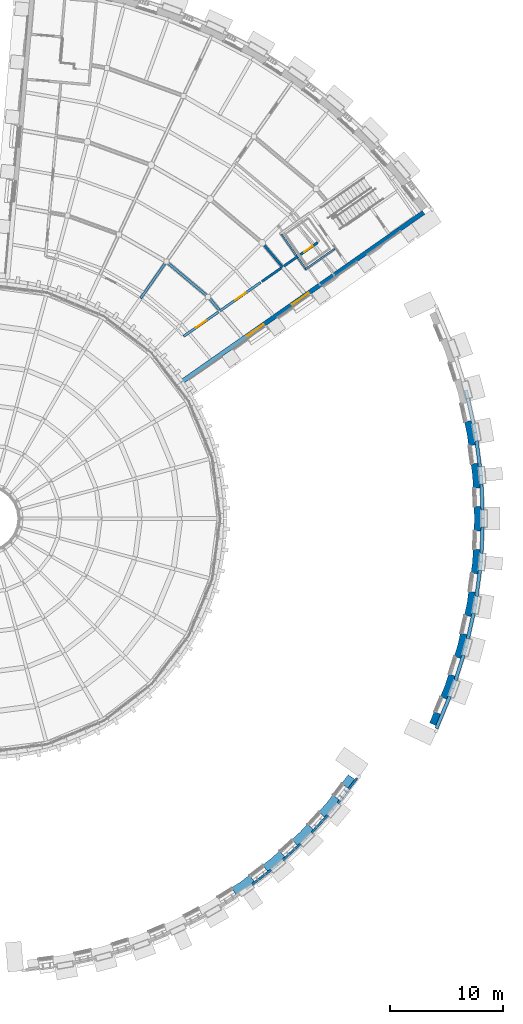
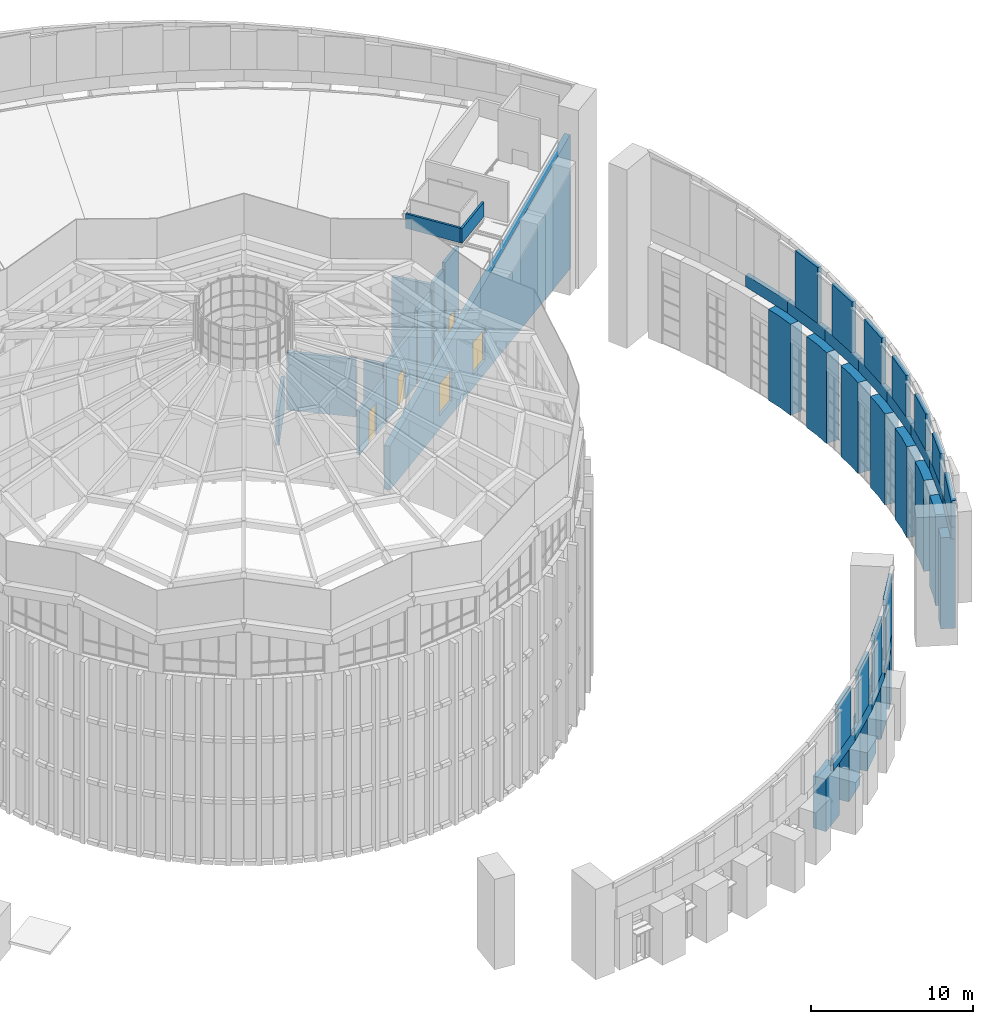
# One storey, part 56 of 82: 48 walls, 3 doors, 2 windows, 5 openings.
"""IFC4 building model written with IfcOpenShell, lengths in metres."""

from ifc_helpers import new_model, si_unit, direction, frame, frame_2d, origin, place, context, subcontext, project, spatial, polyline, rectangle, outline, extrude, material, layer, layer_set, type_object, element, fill, save


model = new_model("IFC4")

# Units and contexts
model_context = context("Model", 3, precision=1e-05, world=origin(), true_north=direction((0.0, 1.0)))
body_context = subcontext(model_context, "Body", "Model", "MODEL_VIEW")
ifc_project = project(units=[si_unit("LENGTHUNIT", "METRE"), si_unit("AREAUNIT", "SQUARE_METRE"), si_unit("VOLUMEUNIT", "CUBIC_METRE"), si_unit("PLANEANGLEUNIT", "RADIAN"), si_unit("MASSUNIT", "GRAM", prefix="KILO")], contexts=[model_context])

# Site, building, storey
site_placement = place(None, origin())
site = spatial("IfcSite", under=ifc_project, at=site_placement, CompositionType="ELEMENT")
building_placement = place(site_placement, origin())
building = spatial("IfcBuilding", under=site, at=building_placement, Name="Volute Hill Aquarium", CompositionType="ELEMENT")
storey_placement = place(building_placement, frame((0.0, 0.0, 13.800048828125)))
storey = spatial("IfcBuildingStorey", under=building, at=storey_placement, Name="L04", CompositionType="ELEMENT", Elevation=13.800048828125)

# Walls
ifc_material_1 = material(Name="Precast concrete C40/50", Category="concrete")
ifc_layer_1 = layer(ifc_material_1, 0.199951171875)
ifc_layer_set_1 = layer_set([ifc_layer_1], Name="Crown screen wall precast concrete C40/50 200")
wall_type_1 = type_object("IfcWallType", Name="Crown screen wall precast concrete C40/50 200", PredefinedType="NOTDEFINED", material=ifc_layer_set_1)
wall_1_placement = place(storey_placement, frame((0.0, 0.0, 4.841796875)))
element("IfcWall", 1, at=wall_1_placement, inside=storey, type_object=wall_type_1, Name="Crown screen wall CSW S3 7", PredefinedType="NOTDEFINED", context=body_context, shape_type="SweptSolid", body=[
    extrude(outline(polyline([(23.578125, -32.46826171875), (25.259521484375, -31.177978515625), (25.130859375, -31.024658203125), (23.463134765625, -32.30419921875), (23.578125, -32.46826171875)])), origin(), (0.0, 0.0, 1.0), 3.66357421875),
])
wall_2_placement = place(storey_placement, frame((0.0, 0.0, 4.841796875)))
element("IfcWall", 2, at=wall_2_placement, inside=storey, type_object=wall_type_1, Name="Crown screen wall CSW S3 8", PredefinedType="NOTDEFINED", context=body_context, shape_type="SweptSolid", body=[
    extrude(outline(polyline([(26.318115234375, -30.289794921875), (27.880615234375, -28.85791015625), (27.7392578125, -28.71630859375), (26.189453125, -30.136474609375), (26.318115234375, -30.289794921875)])), origin(), (0.0, 0.0, 1.0), 3.95556640625),
])
wall_3_placement = place(storey_placement, frame((0.0, 0.0, 4.841796875)))
element("IfcWall", 3, at=wall_3_placement, inside=storey, type_object=wall_type_1, Name="Crown screen wall CSW S3 9", PredefinedType="NOTDEFINED", context=body_context, shape_type="SweptSolid", body=[
    extrude(outline(polyline([(28.85791015625, -27.880615234375), (30.289794921875, -26.318115234375), (30.136474609375, -26.189453125), (28.71630859375, -27.7392578125), (28.85791015625, -27.880615234375)])), origin(), (0.0, 0.0, 1.0), 4.24755859375),
])
wall_4_placement = place(storey_placement, frame((0.0, 0.0, 4.841796875)))
element("IfcWall", 4, at=wall_4_placement, inside=storey, type_object=wall_type_1, Name="Crown screen wall CSW S3 10", PredefinedType="NOTDEFINED", context=body_context, shape_type="SweptSolid", body=[
    extrude(outline(polyline([(31.177978515625, -25.259521484375), (32.88916015625, -23.029296875), (32.725341796875, -22.91455078125), (31.024658203125, -25.130859375), (31.177978515625, -25.259521484375)])), origin(), (0.0, 0.0, 1.0), 4.53955078125),
])
ifc_material_2 = material(Name="Precast concrete C40/50", Category="concrete")
ifc_layer_2 = layer(ifc_material_2, 0.300048828125)
ifc_layer_set_2 = layer_set([ifc_layer_2], Name="Crown screen wall precast concrete C40/50 300")
wall_type_2 = type_object("IfcWallType", Name="Crown screen wall precast concrete C40/50 300", PredefinedType="NOTDEFINED", material=ifc_layer_set_2)
wall_5_placement = place(storey_placement, frame((0.0, 0.0, 7.76123046875)))
element("IfcWall", 5, at=wall_5_placement, inside=storey, type_object=wall_type_2, Name="Crown screen wall CSW S4 1", PredefinedType="NOTDEFINED", context=body_context, shape_type="SweptSolid", body=[
    extrude(outline(polyline([(39.968505859375, -18.6376953125), (41.14990234375, -15.78564453125), (40.86767578125, -15.68310546875), (39.6962890625, -18.5107421875), (39.968505859375, -18.6376953125)])), origin(), (0.0, 0.0, 1.0), 1.991943359375),
])
wall_6_placement = place(storey_placement, frame((0.0, 0.0, 7.76123046875)))
element("IfcWall", 6, at=wall_6_placement, inside=storey, type_object=wall_type_2, Name="Crown screen wall CSW S4 2", PredefinedType="NOTDEFINED", context=body_context, shape_type="SweptSolid", body=[
    extrude(outline(polyline([(41.66943359375, -14.35791015625), (42.369140625, -12.13916015625), (42.0791015625, -12.0615234375), (41.387451171875, -14.25537109375), (41.66943359375, -14.35791015625)])), origin(), (0.0, 0.0, 1.0), 2.36376953125),
])
wall_7_placement = place(storey_placement, frame((0.0, 0.0, 7.76123046875)))
element("IfcWall", 7, at=wall_7_placement, inside=storey, type_object=wall_type_2, Name="Crown screen wall CSW S4 3", PredefinedType="NOTDEFINED", context=body_context, shape_type="SweptSolid", body=[
    extrude(outline(polyline([(42.762451171875, -10.671630859375), (43.265869140625, -8.400390625), (42.97021484375, -8.34814453125), (42.472412109375, -10.593994140625), (42.762451171875, -10.671630859375)])), origin(), (0.0, 0.0, 1.0), 2.73583984375),
])
wall_8_placement = place(storey_placement, frame((0.0, 0.0, 7.76123046875)))
element("IfcWall", 8, at=wall_8_placement, inside=storey, type_object=wall_type_2, Name="Crown screen wall CSW S4 4", PredefinedType="NOTDEFINED", context=body_context, shape_type="SweptSolid", body=[
    extrude(outline(polyline([(43.52978515625, -6.904052734375), (43.833251953125, -4.597412109375), (43.5341796875, -4.5712890625), (43.23388671875, -6.85205078125), (43.52978515625, -6.904052734375)])), origin(), (0.0, 0.0, 1.0), 3.107666015625),
])
wall_9_placement = place(storey_placement, frame((0.0, 0.0, 7.76123046875)))
element("IfcWall", 9, at=wall_9_placement, inside=storey, type_object=wall_type_2, Name="Crown screen wall CSW S4 5", PredefinedType="NOTDEFINED", context=body_context, shape_type="SweptSolid", body=[
    extrude(outline(polyline([(43.9658203125, -3.083984375), (44.0673828125, -0.759765625), (43.76708984375, -0.759765625), (43.666748046875, -3.0576171875), (43.9658203125, -3.083984375)])), origin(), (0.0, 0.0, 1.0), 3.479736328125),
])
wall_10_placement = place(storey_placement, frame((0.0, 0.0, 7.76123046875)))
element("IfcWall", 10, at=wall_10_placement, inside=storey, type_object=wall_type_2, Name="Crown screen wall CSW S4 6", PredefinedType="NOTDEFINED", context=body_context, shape_type="SweptSolid", body=[
    extrude(outline(polyline([(44.067138671875, 0.759765625), (43.9658203125, 3.083984375), (43.666748046875, 3.0576171875), (43.76708984375, 0.759765625), (44.067138671875, 0.759765625)])), origin(), (0.0, 0.0, 1.0), 3.8515625),
])
wall_11_placement = place(storey_placement, frame((0.0, 0.0, 7.76123046875)))
element("IfcWall", 11, at=wall_11_placement, inside=storey, type_object=wall_type_2, Name="Crown screen wall CSW S4 7", PredefinedType="NOTDEFINED", context=body_context, shape_type="SweptSolid", body=[
    extrude(outline(polyline([(43.833251953125, 4.597412109375), (43.52978515625, 6.904052734375), (43.23388671875, 6.85205078125), (43.5341796875, 4.5712890625), (43.833251953125, 4.597412109375)])), origin(), (0.0, 0.0, 1.0), 4.2236328125),
])

# Wall, openings, windows
ifc_material_3 = material(Name="Concrete C35/45", Category="concrete")
ifc_layer_3 = layer(ifc_material_3, 0.39990234375)
ifc_layer_set_3 = layer_set([ifc_layer_3], Name="End wall 400 C35/45")
wall_type_3 = type_object("IfcWallType", Name="End wall 400 C35/45", PredefinedType="SHEAR", material=ifc_layer_set_3)
wall_12_placement = place(storey_placement, frame((17.120361328125, 11.98779296875, 0.0), z_axis=(0.0, 0.0, 1.0), x_axis=(0.819149207907, 0.573580487102, 0.0)))
wall_12 = element("IfcWall", 12, at=wall_12_placement, inside=storey, type_object=wall_type_3, Name="sw/S5/L04/endA", PredefinedType="SHEAR", context=body_context, shape_type="SweptSolid", body=[
    extrude(outline(polyline([(0.0, 0.0), (26.349853515625, 0.0), (26.35009765625, 10.090087890625), (23.056396484375, 9.243408203125), (19.762451171875, 8.396728515625), (16.46875, 7.5498046875), (13.175048828125, 6.703125), (9.88134765625, 5.8564453125), (6.58740234375, 5.009521484375), (3.293701171875, 4.162841796875), (0.0, 3.316162109375), (0.0, 0.0)])), frame((0.0, 0.199951171875, 0.0), z_axis=(0.0, -1.0, 0.0), x_axis=(1.0, 0.0, 0.0)), (0.0, 0.0, 1.0), 0.39990234375),
])
opening_1_placement = place(wall_12_placement, frame((7.252197265625, 0.0, 1.0)))
opening_1 = element("IfcOpeningElement", 13, at=opening_1_placement, cuts=wall_12, Name="Opening W13", PredefinedType="OPENING", context=body_context, shape_type="SweptSolid", body=[
    extrude(rectangle(XDim=1.800048828125, YDim=2.39990234375, at=frame_2d((0.89990234375, 1.199951171875))), frame((0.0, 0.2099609375, 0.0), z_axis=(0.0, -1.0, 0.0), x_axis=(1.0, 0.0, 0.0)), (0.0, 0.0, 1.0), 0.419921875),
])
opening_2_placement = place(wall_12_placement, frame((12.1181640625, 0.0, 1.0)))
opening_2 = element("IfcOpeningElement", 14, at=opening_2_placement, cuts=wall_12, Name="Opening W13", PredefinedType="OPENING", context=body_context, shape_type="SweptSolid", body=[
    extrude(rectangle(XDim=1.800048828125, YDim=2.39990234375, at=frame_2d((0.89990234375, 1.199951171875))), frame((0.0, 0.2099609375, 0.0), z_axis=(0.0, -1.0, 0.0), x_axis=(1.0, 0.0, 0.0)), (0.0, 0.0, 1.0), 0.419921875),
])
ifc_material_4 = material(Name="Aluminium and glass", Category="aluminium")
window_type = type_object("IfcWindowType", Name="End wall window 1800x2400", PartitioningType="SINGLE_PANEL", PredefinedType="WINDOW", material=ifc_material_4)
window_1_placement = place(opening_1_placement, origin())
window_1 = element("IfcWindow", 15, at=window_1_placement, inside=storey, type_object=window_type, Name="End wall window S5A L04 2.1", OverallHeight=2.39990234375, OverallWidth=1.800048828125, PartitioningType="SINGLE_PANEL", PredefinedType="WINDOW", context=body_context, shape_type="SweptSolid", body=[
    extrude(rectangle(XDim=1.800048828125, YDim=2.39990234375, at=frame_2d((0.89990234375, 1.199951171875))), frame((0.0, 0.030029296875, 0.0), z_axis=(0.0, -1.0, 0.0), x_axis=(1.0, 0.0, 0.0)), (0.0, 0.0, 1.0), 0.06005859375),
])
fill(opening_1, window_1)
window_2_placement = place(opening_2_placement, origin())
window_2 = element("IfcWindow", 16, at=window_2_placement, inside=storey, type_object=window_type, Name="End wall window S5A L04 3.1", OverallHeight=2.39990234375, OverallWidth=1.800048828125, PartitioningType="SINGLE_PANEL", PredefinedType="WINDOW", context=body_context, shape_type="SweptSolid", body=[
    extrude(rectangle(XDim=1.800048828125, YDim=2.39990234375, at=frame_2d((0.89990234375, 1.199951171875))), frame((0.0, 0.030029296875, 0.0), z_axis=(0.0, -1.0, 0.0), x_axis=(1.0, 0.0, 0.0)), (0.0, 0.0, 1.0), 0.06005859375),
])
fill(opening_2, window_2)

# Walls
ifc_material_5 = material(Name="Precast concrete C40/50", Category="concrete")
ifc_layer_4 = layer(ifc_material_5, 0.89990234375)
ifc_layer_set_4 = layer_set([ifc_layer_4], Name="Outer pier precast concrete C40/50 900")
wall_type_4 = type_object("IfcWallType", Name="Outer pier precast concrete C40/50 900", PredefinedType="NOTDEFINED", material=ifc_layer_set_4)
wall_13_placement = place(storey_placement, origin())
element("IfcWall", 17, at=wall_13_placement, inside=storey, type_object=wall_type_4, Name="Outer pier OWP S3 L04 7", PredefinedType="NOTDEFINED", context=body_context, shape_type="SweptSolid", body=[
    extrude(outline(polyline([(21.69677734375, -32.671142578125), (22.18017578125, -33.43017578125), (23.828125, -32.2763671875), (23.280029296875, -31.5625), (22.5126953125, -32.1513671875), (21.69677734375, -32.671142578125)])), origin(), (0.0, 0.0, 1.0), 3.94189453125),
])
wall_14_placement = place(storey_placement, origin())
element("IfcWall", 18, at=wall_14_placement, inside=storey, type_object=wall_type_4, Name="Outer pier OWP S3 L04 8", PredefinedType="NOTDEFINED", context=body_context, shape_type="SweptSolid", body=[
    extrude(outline(polyline([(24.461669921875, -30.65576171875), (25.009521484375, -31.369873046875), (26.550537109375, -30.076904296875), (25.9423828125, -29.413330078125), (25.22900390625, -30.06689453125), (24.461669921875, -30.65576171875)])), origin(), (0.0, 0.0, 1.0), 3.94189453125),
])
wall_15_placement = place(storey_placement, origin())
element("IfcWall", 19, at=wall_15_placement, inside=storey, type_object=wall_type_4, Name="Outer pier OWP S3 L04 9", PredefinedType="NOTDEFINED", context=body_context, shape_type="SweptSolid", body=[
    extrude(outline(polyline([(27.040283203125, -28.4072265625), (27.6484375, -29.07080078125), (29.07080078125, -27.6484375), (28.4072265625, -27.040283203125), (27.753662109375, -27.753662109375), (27.040283203125, -28.4072265625)])), origin(), (0.0, 0.0, 1.0), 3.94189453125),
])
wall_16_placement = place(storey_placement, origin())
element("IfcWall", 20, at=wall_16_placement, inside=storey, type_object=wall_type_4, Name="Outer pier OWP S3 L04 10", PredefinedType="NOTDEFINED", context=body_context, shape_type="SweptSolid", body=[
    extrude(outline(polyline([(29.413330078125, -25.9423828125), (30.076904296875, -26.550537109375), (31.369873046875, -25.009521484375), (30.65576171875, -24.461669921875), (30.06689453125, -25.22900390625), (29.413330078125, -25.9423828125)])), origin(), (0.0, 0.0, 1.0), 3.94189453125),
])
wall_17_placement = place(storey_placement, origin())
element("IfcWall", 21, at=wall_17_placement, inside=storey, type_object=wall_type_4, Name="Outer pier OWP S3 L04 11", PredefinedType="NOTDEFINED", context=body_context, shape_type="SweptSolid", body=[
    extrude(outline(polyline([(31.440673828125, -23.43896484375), (32.154541015625, -23.98681640625), (32.767333984375, -23.188232421875), (32.029541015625, -22.67138671875), (31.440673828125, -23.43896484375)])), origin(), (0.0, 0.0, 1.0), 3.94189453125),
])
wall_18_placement = place(storey_placement, origin())
element("IfcWall", 22, at=wall_18_placement, inside=storey, type_object=wall_type_4, Name="Outer pier OWP S4 L04 1", PredefinedType="NOTDEFINED", context=body_context, shape_type="SweptSolid", body=[
    extrude(outline(polyline([(39.228759765625, -18.072021484375), (40.045166015625, -18.45263671875), (40.468017578125, -17.431884765625), (39.636474609375, -17.08740234375), (39.228759765625, -18.072021484375)])), origin(), (0.0, 0.0, 1.0), 6.861328125),
])
wall_19_placement = place(storey_placement, origin())
element("IfcWall", 23, at=wall_19_placement, inside=storey, type_object=wall_type_4, Name="Outer pier OWP S4 L04 2", PredefinedType="NOTDEFINED", context=body_context, shape_type="SweptSolid", body=[
    extrude(outline(polyline([(40.1865234375, -15.759765625), (41.01806640625, -16.10400390625), (41.773193359375, -14.029541015625), (40.914794921875, -13.7587890625), (40.59423828125, -14.775146484375), (40.1865234375, -15.759765625)])), origin(), (0.0, 0.0, 1.0), 6.861328125),
])
wall_20_placement = place(storey_placement, origin())
element("IfcWall", 24, at=wall_20_placement, inside=storey, type_object=wall_type_4, Name="Outer pier OWP S4 L04 3", PredefinedType="NOTDEFINED", context=body_context, shape_type="SweptSolid", body=[
    extrude(outline(polyline([(41.4072265625, -12.197265625), (42.265625, -12.4677734375), (42.8369140625, -10.33544921875), (41.958251953125, -10.140625), (41.7275390625, -11.180908203125), (41.4072265625, -12.197265625)])), origin(), (0.0, 0.0, 1.0), 6.861328125),
])
wall_21_placement = place(storey_placement, origin())
element("IfcWall", 25, at=wall_21_placement, inside=storey, type_object=wall_type_4, Name="Outer pier OWP S4 L04 4", PredefinedType="NOTDEFINED", context=body_context, shape_type="SweptSolid", body=[
    extrude(outline(polyline([(42.312744140625, -8.5419921875), (43.19140625, -8.73681640625), (43.57470703125, -6.5625), (42.682373046875, -6.445068359375), (42.543212890625, -7.50146484375), (42.312744140625, -8.5419921875)])), origin(), (0.0, 0.0, 1.0), 6.861328125),
])
wall_22_placement = place(storey_placement, origin())
element("IfcWall", 26, at=wall_22_placement, inside=storey, type_object=wall_type_4, Name="Outer pier OWP S4 L04 5", PredefinedType="NOTDEFINED", context=body_context, shape_type="SweptSolid", body=[
    extrude(outline(polyline([(42.89599609375, -4.821533203125), (43.788330078125, -4.93896484375), (43.980712890625, -2.73974609375), (43.081787109375, -2.700439453125), (43.03515625, -3.76513671875), (42.89599609375, -4.821533203125)])), origin(), (0.0, 0.0, 1.0), 6.861328125),
])
wall_23_placement = place(storey_placement, origin())
element("IfcWall", 27, at=wall_23_placement, inside=storey, type_object=wall_type_4, Name="Outer pier OWP S4 L04 6", PredefinedType="NOTDEFINED", context=body_context, shape_type="SweptSolid", body=[
    extrude(outline(polyline([(43.153076171875, -1.064453125), (44.05224609375, -1.103759765625), (44.05224609375, 1.103759765625), (43.153076171875, 1.064697265625), (43.19970703125, 0.0), (43.153076171875, -1.064453125)])), origin(), (0.0, 0.0, 1.0), 6.861328125),
])
wall_24_placement = place(storey_placement, origin())
element("IfcWall", 28, at=wall_24_placement, inside=storey, type_object=wall_type_4, Name="Outer pier OWP S4 L04 7", PredefinedType="NOTDEFINED", context=body_context, shape_type="SweptSolid", body=[
    extrude(outline(polyline([(43.08154296875, 2.700439453125), (43.980712890625, 2.73974609375), (43.788330078125, 4.93896484375), (42.89599609375, 4.821533203125), (43.03515625, 3.76513671875), (43.08154296875, 2.700439453125)])), origin(), (0.0, 0.0, 1.0), 6.861328125),
])
wall_25_placement = place(storey_placement, origin())
element("IfcWall", 29, at=wall_25_placement, inside=storey, type_object=wall_type_4, Name="Outer pier OWP S4 L04 8", PredefinedType="NOTDEFINED", context=body_context, shape_type="SweptSolid", body=[
    extrude(outline(polyline([(42.682373046875, 6.445068359375), (43.57470703125, 6.5625), (43.19140625, 8.736572265625), (42.312744140625, 8.541748046875), (42.543212890625, 7.50146484375), (42.682373046875, 6.445068359375)])), origin(), (0.0, 0.0, 1.0), 6.861328125),
])
ifc_material_6 = material(Name="Concrete C30/37", Category="concrete")
ifc_layer_5 = layer(ifc_material_6, 0.14990234375)
ifc_layer_set_5 = layer_set([ifc_layer_5], Name="Plant platform parapet C30/37 150")
wall_type_5 = type_object("IfcWallType", Name="Plant platform parapet C30/37 150", PredefinedType="PARAPET", material=ifc_layer_set_5)
wall_26_placement = place(storey_placement, frame((28.209228515625, 22.041259765625, 8.599853515625), z_axis=(0.0, 0.0, 1.0), x_axis=(0.819156644649, 0.573569866301, 0.0)))
element("IfcWall", 30, at=wall_26_placement, inside=storey, type_object=wall_type_5, Name="pf/S5/L04/parapet1", PredefinedType="PARAPET", context=body_context, shape_type="SweptSolid", body=[
    extrude(rectangle(XDim=3.199951171875, YDim=0.14990234375, at=frame_2d((1.60009765625, 0.0))), origin(), (0.0, 0.0, 1.0), 1.10009765625),
])
wall_27_placement = place(storey_placement, frame((28.2275390625, 22.145751953125, 8.599853515625), z_axis=(0.0, 0.0, 1.0), x_axis=(-0.573559770908, 0.819163713305, 0.0)))
element("IfcWall", 31, at=wall_27_placement, inside=storey, type_object=wall_type_5, Name="pf/S5/L04/parapet3", PredefinedType="PARAPET", context=body_context, shape_type="SweptSolid", body=[
    extrude(rectangle(XDim=3.69970703125, YDim=0.14990234375, at=frame_2d((1.849853515625, 0.0))), origin(), (0.0, 0.0, 1.0), 1.10009765625),
])

# Wall, opening, door
ifc_material_7 = material(Name="Masonry blockwork", Category="masonry")
ifc_layer_6 = layer(ifc_material_7, 0.215087890625)
ifc_layer_set_6 = layer_set([ifc_layer_6], Name="Plant room wall 215 EI 60")
wall_type_6 = type_object("IfcWallType", Name="Plant room wall 215 EI 60", PredefinedType="PARTITIONING", material=ifc_layer_set_6)
wall_28_placement = place(storey_placement, frame((20.677001953125, 18.384765625, 0.0), z_axis=(0.0, 0.0, 1.0), x_axis=(0.819145467106, 0.573585829427, 0.0)))
wall_28 = element("IfcWall", 32, at=wall_28_placement, inside=storey, type_object=wall_type_6, Name="pw/S5/L04/014", PredefinedType="PARTITIONING", context=body_context, shape_type="SweptSolid", body=[
    extrude(rectangle(XDim=4.378662109375, YDim=0.215087890625, at=frame_2d((2.189453125, 0.0))), origin(), (0.0, 0.0, 1.0), 4.3603515625),
])
opening_3_placement = place(wall_28_placement, frame((1.639404296875, 0.0, 0.0)))
opening_3 = element("IfcOpeningElement", 33, at=opening_3_placement, cuts=wall_28, Name="Opening D5.04.03", PredefinedType="OPENING", context=body_context, shape_type="SweptSolid", body=[
    extrude(rectangle(XDim=1.10009765625, YDim=2.39990234375, at=frame_2d((0.550048828125, 1.199951171875))), frame((0.0, 0.117431640625, 0.0), z_axis=(0.0, -1.0, 0.0), x_axis=(1.0, 0.0, 0.0)), (0.0, 0.0, 1.0), 0.235107421875),
])
ifc_material_8 = material(Name="Steel, fire-rated", Category="steel")
door_type_1 = type_object("IfcDoorType", Name="Door 1100 x 2400 plant room EI1 30", OperationType="SINGLE_SWING_LEFT", PredefinedType="DOOR", material=ifc_material_8)
door_1_placement = place(opening_3_placement, origin())
door_1 = element("IfcDoor", 34, at=door_1_placement, inside=storey, type_object=door_type_1, Name="d/S5/L04/03", OperationType="SINGLE_SWING_LEFT", OverallHeight=2.39990234375, OverallWidth=1.10009765625, PredefinedType="DOOR", context=body_context, shape_type="SweptSolid", body=[
    extrude(rectangle(XDim=1.10009765625, YDim=2.39990234375, at=frame_2d((0.550048828125, 1.199951171875))), frame((0.0, 0.02490234375, 0.0), z_axis=(0.0, -1.0, 0.0), x_axis=(1.0, 0.0, 0.0)), (0.0, 0.0, 1.0), 0.050048828125),
])
fill(opening_3, door_1)

# Wall
wall_29_placement = place(storey_placement, frame((16.107666015625, 22.58740234375, 0.0), z_axis=(0.0, 0.0, 1.0), x_axis=(0.766073228099, -0.642753303523, 0.0)))
element("IfcWall", 35, at=wall_29_placement, inside=storey, type_object=wall_type_6, Name="pw/S5/L04/016", PredefinedType="PARTITIONING", context=body_context, shape_type="SweptSolid", body=[
    extrude(rectangle(XDim=4.359375, YDim=0.215087890625, at=frame_2d((2.1796875, 0.0))), origin(), (0.0, 0.0, 1.0), 4.3603515625),
])

# Wall, opening, door
wall_30_placement = place(storey_placement, frame((17.464599609375, 16.135498046875, 0.0), z_axis=(0.0, 0.0, 1.0), x_axis=(0.819186301259, 0.573527509218, 0.0)))
wall_30 = element("IfcWall", 36, at=wall_30_placement, inside=storey, type_object=wall_type_6, Name="pw/S5/L04/018", PredefinedType="PARTITIONING", context=body_context, shape_type="SweptSolid", body=[
    extrude(rectangle(XDim=3.771484375, YDim=0.215087890625, at=frame_2d((1.8857421875, 0.0))), origin(), (0.0, 0.0, 1.0), 3.35205078125),
])
opening_4_placement = place(wall_30_placement, frame((1.335693359375, 0.0, 0.0)))
opening_4 = element("IfcOpeningElement", 37, at=opening_4_placement, cuts=wall_30, Name="Opening D5.04.02", PredefinedType="OPENING", context=body_context, shape_type="SweptSolid", body=[
    extrude(rectangle(XDim=1.10009765625, YDim=2.39990234375, at=frame_2d((0.550048828125, 1.199951171875))), frame((0.0, 0.117431640625, 0.0), z_axis=(0.0, -1.0, 0.0), x_axis=(1.0, 0.0, 0.0)), (0.0, 0.0, 1.0), 0.235107421875),
])
door_2_placement = place(opening_4_placement, origin())
door_2 = element("IfcDoor", 38, at=door_2_placement, inside=storey, type_object=door_type_1, Name="d/S5/L04/02", OperationType="SINGLE_SWING_RIGHT", OverallHeight=2.39990234375, OverallWidth=1.10009765625, PredefinedType="DOOR", context=body_context, shape_type="SweptSolid", body=[
    extrude(rectangle(XDim=1.10009765625, YDim=2.39990234375, at=frame_2d((0.550048828125, 1.199951171875))), frame((0.0, 0.02490234375, 0.0), z_axis=(0.0, -1.0, 0.0), x_axis=(1.0, 0.0, 0.0)), (0.0, 0.0, 1.0), 0.050048828125),
])
fill(opening_4, door_2)

# Walls
wall_31_placement = place(storey_placement, frame((13.651123046875, 19.495849609375, 0.0), z_axis=(0.0, 0.0, 1.0), x_axis=(0.573563571015, 0.819161052544, 0.0)))
element("IfcWall", 39, at=wall_31_placement, inside=storey, type_object=wall_type_6, Name="pw/S5/L04/021", PredefinedType="PARTITIONING", context=body_context, shape_type="SweptSolid", body=[
    extrude(rectangle(XDim=3.722900390625, YDim=0.215087890625, at=frame_2d((1.861328125, 0.0))), origin(), (0.0, 0.0, 1.0), 2.621826171875),
])
wall_32_placement = place(storey_placement, frame((24.567138671875, 24.22900390625, 0.0), z_axis=(0.0, 0.0, 1.0), x_axis=(0.642754601697, -0.766072138899, 0.0)))
element("IfcWall", 40, at=wall_32_placement, inside=storey, type_object=wall_type_6, Name="pw/S5/L04/024", PredefinedType="PARTITIONING", context=body_context, shape_type="SweptSolid", body=[
    extrude(rectangle(XDim=2.565673828125, YDim=0.215087890625, at=frame_2d((1.28271484375, 0.0))), origin(), (0.0, 0.0, 1.0), 6.098876953125),
])
wall_33_placement = place(storey_placement, frame((24.38671875, 20.982177734375, 0.0), z_axis=(0.0, 0.0, 1.0), x_axis=(0.819127944609, 0.573610852723, 0.0)))
element("IfcWall", 41, at=wall_33_placement, inside=storey, type_object=wall_type_6, Name="pw/S5/L04/025", PredefinedType="PARTITIONING", context=body_context, shape_type="SweptSolid", body=[
    extrude(rectangle(XDim=2.09619140625, YDim=0.215087890625, at=frame_2d((1.048095703125, 0.0))), origin(), (0.0, 0.0, 1.0), 5.524658203125),
])

# Wall, opening, door
wall_34_placement = place(storey_placement, frame((27.69140625, 23.296142578125, 0.0), z_axis=(0.0, 0.0, 1.0), x_axis=(0.819168323985, 0.573553185834, 0.0)))
wall_34 = element("IfcWall", 42, at=wall_34_placement, inside=storey, type_object=wall_type_6, Name="pw/S5/L04/027", PredefinedType="PARTITIONING", context=body_context, shape_type="SweptSolid", body=[
    extrude(rectangle(XDim=1.984130859375, YDim=0.215087890625, at=frame_2d((0.9921875, 0.0))), origin(), (0.0, 0.0, 1.0), 6.561767578125),
])
opening_5_placement = place(wall_34_placement, frame((0.5419921875, 0.0, 0.0)))
opening_5 = element("IfcOpeningElement", 43, at=opening_5_placement, cuts=wall_34, Name="Opening D5.04.04", PredefinedType="OPENING", context=body_context, shape_type="SweptSolid", body=[
    extrude(rectangle(XDim=0.89990234375, YDim=2.10009765625, at=frame_2d((0.449951171875, 1.050048828125))), frame((0.0, 0.117431640625, 0.0), z_axis=(0.0, -1.0, 0.0), x_axis=(1.0, 0.0, 0.0)), (0.0, 0.0, 1.0), 0.235107421875),
])
ifc_material_9 = material(Name="Timber, fire-rated", Category="wood")
door_type_2 = type_object("IfcDoorType", Name="Door 900 x 2100 wc single EI1 30", OperationType="SINGLE_SWING_LEFT", PredefinedType="DOOR", material=ifc_material_9)
door_3_placement = place(opening_5_placement, origin())
door_3 = element("IfcDoor", 44, at=door_3_placement, inside=storey, type_object=door_type_2, Name="d/S5/L04/04", OperationType="SINGLE_SWING_RIGHT", OverallHeight=2.10009765625, OverallWidth=0.89990234375, PredefinedType="DOOR", context=body_context, shape_type="SweptSolid", body=[
    extrude(rectangle(XDim=0.89990234375, YDim=2.10009765625, at=frame_2d((0.449951171875, 1.050048828125))), frame((0.0, 0.02490234375, 0.0), z_axis=(0.0, -1.0, 0.0), x_axis=(1.0, 0.0, 0.0)), (0.0, 0.0, 1.0), 0.050048828125),
])
fill(opening_5, door_3)

# Walls
wall_35_placement = place(storey_placement, frame((26.33935546875, 22.349609375, 0.0), z_axis=(0.0, 0.0, 1.0), x_axis=(0.819193700616, 0.573516940352, 0.0)))
element("IfcWall", 45, at=wall_35_placement, inside=storey, type_object=wall_type_6, Name="pw/S5/L04/034", PredefinedType="PARTITIONING", context=body_context, shape_type="SweptSolid", body=[
    extrude(rectangle(XDim=1.50048828125, YDim=0.215087890625, at=frame_2d((0.750244140625, 0.0))), origin(), (0.0, 0.0, 1.0), 6.137451171875),
])
wall_36_placement = place(storey_placement, frame((19.785400390625, 19.447265625, 0.0), z_axis=(0.0, 0.0, 1.0), x_axis=(0.642660363915, -0.766151196993, 0.0)))
element("IfcWall", 46, at=wall_36_placement, inside=storey, type_object=wall_type_6, Name="pw/S5/L04/036", PredefinedType="PARTITIONING", context=body_context, shape_type="SweptSolid", body=[
    extrude(rectangle(XDim=1.24951171875, YDim=0.215087890625, at=frame_2d((0.624755859375, 0.0))), origin(), (0.0, 0.0, 1.0), 4.3603515625),
])
ifc_material_10 = material(Name="Precast concrete C40/50", Category="concrete")
ifc_layer_7 = layer(ifc_material_10, 0.199951171875)
ifc_layer_set_7 = layer_set([ifc_layer_7], Name="Roof edge parapet precast concrete C40/50 200")
wall_type_7 = type_object("IfcWallType", Name="Roof edge parapet precast concrete C40/50 200", PredefinedType="PARAPET", material=ifc_layer_set_7)
wall_37_placement = place(storey_placement, frame((0.0, 0.0, 3.94189453125)))
element("IfcWall", 47, at=wall_37_placement, inside=storey, type_object=wall_type_7, Name="Roof edge parapet PAR S3 7", PredefinedType="PARAPET", context=body_context, shape_type="SweptSolid", body=[
    extrude(outline(polyline([(22.91455078125, -32.725341796875), (23.029296875, -32.88916015625), (25.808349609375, -30.757080078125), (25.679443359375, -30.603759765625), (22.91455078125, -32.725341796875)])), origin(), (0.0, 0.0, 1.0), 0.89990234375),
])
wall_38_placement = place(storey_placement, frame((0.0, 0.0, 3.94189453125)))
element("IfcWall", 48, at=wall_38_placement, inside=storey, type_object=wall_type_7, Name="Roof edge parapet PAR S3 8", PredefinedType="PARAPET", context=body_context, shape_type="SweptSolid", body=[
    extrude(outline(polyline([(25.679443359375, -30.603759765625), (25.808349609375, -30.757080078125), (28.390625, -28.390625), (28.2490234375, -28.2490234375), (25.679443359375, -30.603759765625)])), origin(), (0.0, 0.0, 1.0), 0.89990234375),
])
wall_39_placement = place(storey_placement, frame((0.0, 0.0, 3.94189453125)))
element("IfcWall", 49, at=wall_39_placement, inside=storey, type_object=wall_type_7, Name="Roof edge parapet PAR S3 9", PredefinedType="PARAPET", context=body_context, shape_type="SweptSolid", body=[
    extrude(outline(polyline([(28.2490234375, -28.2490234375), (28.390625, -28.390625), (30.757080078125, -25.808349609375), (30.603515625, -25.6796875), (28.2490234375, -28.2490234375)])), origin(), (0.0, 0.0, 1.0), 0.89990234375),
])
wall_40_placement = place(storey_placement, frame((0.0, 0.0, 3.94189453125)))
element("IfcWall", 50, at=wall_40_placement, inside=storey, type_object=wall_type_7, Name="Roof edge parapet PAR S3 10", PredefinedType="PARAPET", context=body_context, shape_type="SweptSolid", body=[
    extrude(outline(polyline([(32.88916015625, -23.029296875), (32.725341796875, -22.91455078125), (30.603759765625, -25.679443359375), (30.757080078125, -25.808349609375), (32.88916015625, -23.029296875)])), origin(), (0.0, 0.0, 1.0), 0.89990234375),
])
ifc_material_11 = material(Name="Precast concrete C40/50", Category="concrete")
ifc_layer_8 = layer(ifc_material_11, 0.300048828125)
ifc_layer_set_8 = layer_set([ifc_layer_8], Name="Roof edge parapet precast concrete C40/50 300")
wall_type_8 = type_object("IfcWallType", Name="Roof edge parapet precast concrete C40/50 300", PredefinedType="PARAPET", material=ifc_layer_set_8)
wall_41_placement = place(storey_placement, frame((0.0, 0.0, 6.861328125)))
element("IfcWall", 51, at=wall_41_placement, inside=storey, type_object=wall_type_8, Name="Roof edge parapet PAR S4 1", PredefinedType="PARAPET", context=body_context, shape_type="SweptSolid", body=[
    extrude(outline(polyline([(41.44091796875, -15.083251953125), (41.15869140625, -14.98046875), (39.6962890625, -18.5107421875), (39.968505859375, -18.6376953125), (41.44091796875, -15.083251953125)])), origin(), (0.0, 0.0, 1.0), 0.89990234375),
])
wall_42_placement = place(storey_placement, frame((0.0, 0.0, 6.861328125)))
element("IfcWall", 52, at=wall_42_placement, inside=storey, type_object=wall_type_8, Name="Roof edge parapet PAR S4 2", PredefinedType="PARAPET", context=body_context, shape_type="SweptSolid", body=[
    extrude(outline(polyline([(41.15869140625, -14.98046875), (41.44091796875, -15.083251953125), (42.59765625, -11.4140625), (42.3076171875, -11.33642578125), (41.15869140625, -14.98046875)])), origin(), (0.0, 0.0, 1.0), 0.89990234375),
])
wall_43_placement = place(storey_placement, frame((0.0, 0.0, 6.861328125)))
element("IfcWall", 53, at=wall_43_placement, inside=storey, type_object=wall_type_8, Name="Roof edge parapet PAR S4 3", PredefinedType="PARAPET", context=body_context, shape_type="SweptSolid", body=[
    extrude(outline(polyline([(42.3076171875, -11.33642578125), (42.597900390625, -11.4140625), (43.430419921875, -7.657958984375), (43.134765625, -7.60595703125), (42.3076171875, -11.33642578125)])), origin(), (0.0, 0.0, 1.0), 0.89990234375),
])
wall_44_placement = place(storey_placement, frame((0.0, 0.0, 6.861328125)))
element("IfcWall", 54, at=wall_44_placement, inside=storey, type_object=wall_type_8, Name="Roof edge parapet PAR S4 4", PredefinedType="PARAPET", context=body_context, shape_type="SweptSolid", body=[
    extrude(outline(polyline([(43.134765625, -7.605712890625), (43.430419921875, -7.657958984375), (43.9326171875, -3.843505859375), (43.633544921875, -3.8173828125), (43.134765625, -7.605712890625)])), origin(), (0.0, 0.0, 1.0), 0.89990234375),
])
wall_45_placement = place(storey_placement, frame((0.0, 0.0, 6.861328125)))
element("IfcWall", 55, at=wall_45_placement, inside=storey, type_object=wall_type_8, Name="Roof edge parapet PAR S4 5", PredefinedType="PARAPET", context=body_context, shape_type="SweptSolid", body=[
    extrude(outline(polyline([(43.633544921875, -3.8173828125), (43.9326171875, -3.843505859375), (44.100341796875, 0.0), (43.800048828125, 0.0), (43.633544921875, -3.8173828125)])), origin(), (0.0, 0.0, 1.0), 0.89990234375),
])
wall_46_placement = place(storey_placement, frame((0.0, 0.0, 6.861328125)))
element("IfcWall", 56, at=wall_46_placement, inside=storey, type_object=wall_type_8, Name="Roof edge parapet PAR S4 6", PredefinedType="PARAPET", context=body_context, shape_type="SweptSolid", body=[
    extrude(outline(polyline([(43.800048828125, 0.0), (44.100341796875, 0.0), (43.9326171875, 3.84375), (43.633544921875, 3.8173828125), (43.800048828125, 0.0)])), origin(), (0.0, 0.0, 1.0), 0.89990234375),
])
wall_47_placement = place(storey_placement, frame((0.0, 0.0, 6.861328125)))
element("IfcWall", 57, at=wall_47_placement, inside=storey, type_object=wall_type_8, Name="Roof edge parapet PAR S4 7", PredefinedType="PARAPET", context=body_context, shape_type="SweptSolid", body=[
    extrude(outline(polyline([(43.633544921875, 3.8173828125), (43.9326171875, 3.843505859375), (43.430419921875, 7.657958984375), (43.134765625, 7.605712890625), (43.633544921875, 3.8173828125)])), origin(), (0.0, 0.0, 1.0), 0.89990234375),
])
wall_48_placement = place(storey_placement, frame((0.0, 0.0, 6.861328125)))
element("IfcWall", 58, at=wall_48_placement, inside=storey, type_object=wall_type_8, Name="Roof edge parapet PAR S4 8", PredefinedType="PARAPET", context=body_context, shape_type="SweptSolid", body=[
    extrude(outline(polyline([(43.134765625, 7.605712890625), (43.430419921875, 7.657958984375), (42.597900390625, 11.4140625), (42.307861328125, 11.336181640625), (43.134765625, 7.605712890625)])), origin(), (0.0, 0.0, 1.0), 0.89990234375),
])

save(model, "model.ifc")
